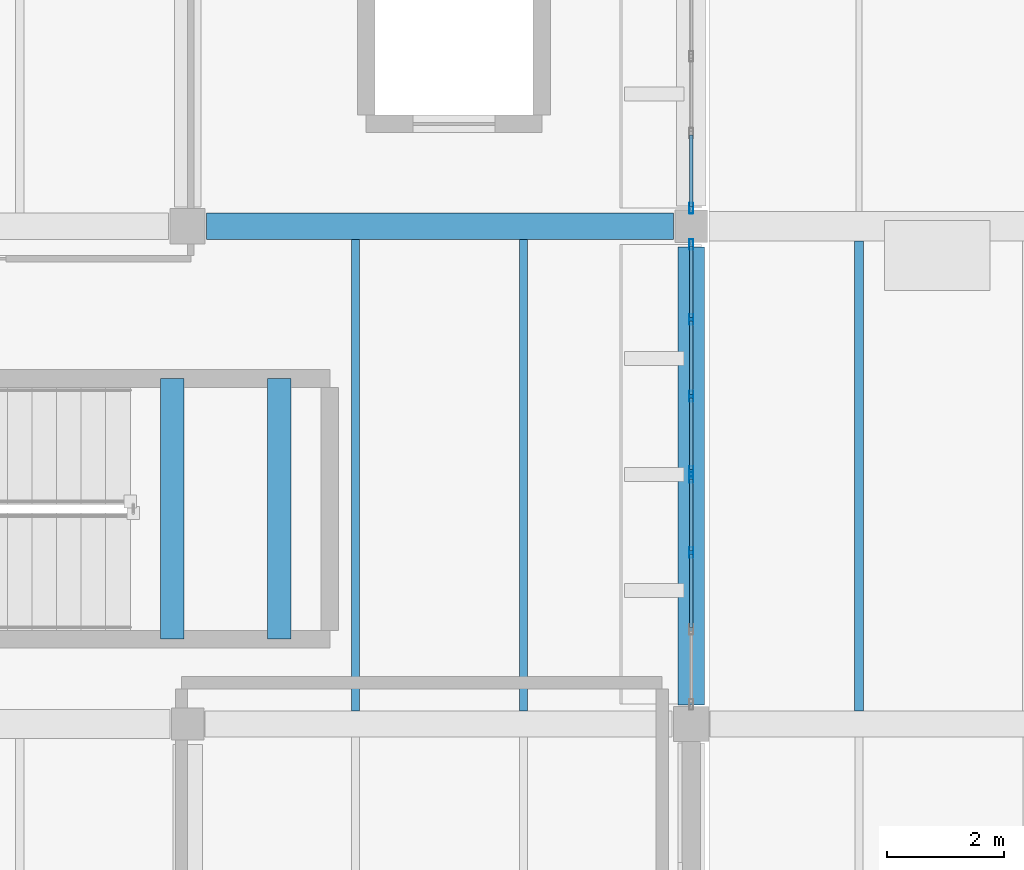
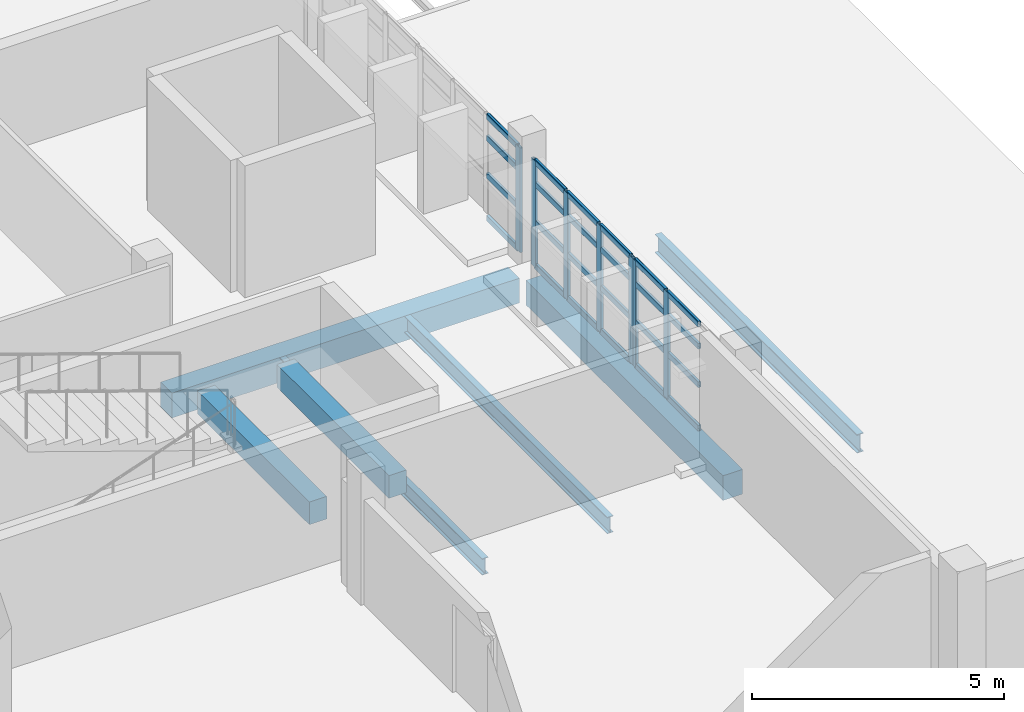
# One storey, part 15 of 55: 31 members, 7 beams, 3 elements without a shape of their own.
"""IFC4 building model written with IfcOpenShell, lengths in metres."""

from ifc_helpers import new_model, si_unit, direction, frame, origin, origin_2d, place, context, subcontext, project, spatial, rectangle, hollow_rectangle, i_section, extrude, material, material_profile, profile_set, type_object, element, aggregate, save


model = new_model("IFC4")

# Units and contexts
model_context = context("Model", 3, precision=1e-05, world=origin(), true_north=direction((0.0, 1.0)))
body_context = subcontext(model_context, "Body", "Model", "MODEL_VIEW")
ifc_project = project(units=[si_unit("LENGTHUNIT", "METRE"), si_unit("AREAUNIT", "SQUARE_METRE"), si_unit("VOLUMEUNIT", "CUBIC_METRE"), si_unit("PLANEANGLEUNIT", "RADIAN"), si_unit("MASSUNIT", "GRAM", prefix="KILO")], contexts=[model_context])

# Site, building, storey
site_placement = place(None, origin())
site = spatial("IfcSite", under=ifc_project, at=site_placement, CompositionType="ELEMENT")
building_placement = place(site_placement, origin())
building = spatial("IfcBuilding", under=site, at=building_placement, Name="Varnakota Cinema and Media Centre", CompositionType="ELEMENT")
storey_placement = place(building_placement, frame((0.0, 0.0, 15.60009765625)))
storey = spatial("IfcBuildingStorey", under=building, at=storey_placement, Name="L04", CompositionType="ELEMENT", Elevation=15.60009765625)

# Beams
ifc_material_1 = material(Name="Concrete M35", Category="concrete")
ifc_material_profile_1 = material_profile(ifc_material_1, rectangle(XDim=0.39990234375, YDim=0.550048828125, at=origin_2d()), Name="RCB 400x550")
ifc_profile_set_1 = profile_set([ifc_material_profile_1], Name="Concrete M35")
beam_type_1 = type_object("IfcBeamType", Name="BM-RC-400x550", PredefinedType="BEAM", material=ifc_profile_set_1)
for number, where, z_axis, x_axis, name in (
    (1, (16.937255859375, 45.449951171875, 1.25), (0.0, 1.0, 0.0), (-1.0, 0.0, 0.0), "L04 ST-03 landing support beam 1"),
    (2, (18.7626953125, 45.449951171875, 1.25), (0.0, 1.0, 0.0), (-1.0, 0.0, 0.0), "L04 ST-03 landing support beam 2"),
):
    element("IfcBeam", number, at=place(storey_placement, frame(where, z_axis=z_axis, x_axis=x_axis)), inside=storey, type_object=beam_type_1, Name=name, PredefinedType="BEAM", context=body_context, shape_type="SweptSolid", body=[
        extrude(rectangle(XDim=0.39990234375, YDim=0.550048828125, at=origin_2d()), origin(), (0.0, 0.0, 1.0), 4.449951171875),
    ])
ifc_material_2 = material(Name="Concrete M35", Category="concrete")
ifc_material_profile_2 = material_profile(ifc_material_2, rectangle(XDim=0.449951171875, YDim=0.60009765625, at=origin_2d()), Name="RCB 450x600")
ifc_profile_set_2 = profile_set([ifc_material_profile_2], Name="Concrete M35")
beam_type_2 = type_object("IfcBeamType", Name="BM-RC-450x600", PredefinedType="BEAM", material=ifc_profile_set_2)
beam_1_placement = place(storey_placement, frame((17.52490234375, 52.5, -0.550048828125), z_axis=(1.0, 0.0, 0.0), x_axis=(0.0, 1.0, 0.0)))
element("IfcBeam", 3, at=beam_1_placement, inside=storey, type_object=beam_type_2, Name="L04 girder C-D/7", PredefinedType="BEAM", context=body_context, shape_type="SweptSolid", body=[
    extrude(rectangle(XDim=0.449951171875, YDim=0.60009765625, at=origin_2d()), origin(), (0.0, 0.0, 1.0), 7.97509765625),
])
beam_2_placement = place(storey_placement, frame((25.800048828125, 44.324951171875, -0.550048828125), z_axis=(0.0, 1.0, 0.0), x_axis=(-1.0, 0.0, 0.0)))
element("IfcBeam", 4, at=beam_2_placement, inside=storey, type_object=beam_type_2, Name="L04 girder D/6-7", PredefinedType="BEAM", context=body_context, shape_type="SweptSolid", body=[
    extrude(rectangle(XDim=0.449951171875, YDim=0.60009765625, at=origin_2d()), origin(), (0.0, 0.0, 1.0), 7.824951171875),
])
ifc_material_3 = material(Name="Structural steel Grade 350 (E350)", Category="steel")
ifc_material_profile_3 = material_profile(ifc_material_3, i_section(OverallWidth=0.139892578125, OverallDepth=0.39990234375, WebThickness=0.0087890625, FlangeThickness=0.01611328125, FilletRadius=0.013916015625, at=origin_2d()), Name="ISMB 400")
ifc_profile_set_3 = profile_set([ifc_material_profile_3], Name="Structural steel Grade 350 (E350)")
beam_type_3 = type_object("IfcBeamType", Name="BM-ST-ISMB400", PredefinedType="JOIST", material=ifc_profile_set_3)
for number, where, z_axis, x_axis, name in (
    (5, (20.066650390625, 44.22509765625, -0.4501953125), (0.0, 1.0, 0.0), (-1.0, 0.0, 0.0), "L04 steel joist C-D/6-7 #1"),
    (6, (22.933349609375, 44.22509765625, -0.4501953125), (0.0, 1.0, 0.0), (-1.0, 0.0, 0.0), "L04 steel joist C-D/6-7 #2"),
):
    element("IfcBeam", number, at=place(storey_placement, frame(where, z_axis=z_axis, x_axis=x_axis)), inside=storey, type_object=beam_type_3, Name=name, PredefinedType="JOIST", context=body_context, shape_type="SweptSolid", body=[
        extrude(i_section(OverallWidth=0.139892578125, OverallDepth=0.39990234375, WebThickness=0.0087890625, FlangeThickness=0.01611328125, FilletRadius=0.013916015625, at=origin_2d()), origin(), (0.0, 0.0, 1.0), 8.0498046875),
    ])
ifc_material_4 = material(Name="Structural steel Grade 350 (E350)", Category="steel")
ifc_material_profile_4 = material_profile(ifc_material_4, i_section(OverallWidth=0.14990234375, OverallDepth=0.449951171875, WebThickness=0.009521484375, FlangeThickness=0.017333984375, FilletRadius=0.014892578125, at=origin_2d()), Name="ISMB 450")
ifc_profile_set_4 = profile_set([ifc_material_profile_4], Name="Structural steel Grade 350 (E350)")
beam_type_4 = type_object("IfcBeamType", Name="BM-ST-ISMB450", PredefinedType="BEAM", material=ifc_profile_set_4)
beam_3_placement = place(storey_placement, frame((28.666748046875, 44.22509765625, -0.47509765625), z_axis=(0.0, 1.0, 0.0), x_axis=(-1.0, 0.0, 0.0)))
element("IfcBeam", 7, at=beam_3_placement, inside=storey, type_object=beam_type_4, Name="L04 steel joist D-E/6-7 #1", PredefinedType="BEAM", context=body_context, shape_type="SweptSolid", body=[
    extrude(i_section(OverallWidth=0.14990234375, OverallDepth=0.449951171875, WebThickness=0.009521484375, FlangeThickness=0.017333984375, FilletRadius=0.014892578125, at=origin_2d()), origin(), (0.0, 0.0, 1.0), 8.02490234375),
])

# Curtain wall, members
ifc_material_5 = material(Name="Thermally broken anodised aluminium AW-6063", Category="aluminium")
curtain_wall_type_1 = type_object("IfcCurtainWallType", Name="CW-STD-394x258", PredefinedType="USERDEFINED", material=ifc_material_5)
curtain_wall_1_placement = place(storey_placement, origin())
curtain_wall_1 = element("IfcCurtainWall", 8, at=curtain_wall_1_placement, inside=storey, type_object=curtain_wall_type_1, Name="L04 curtain wall CW-L04-V5-E-02-1", ObjectType="UNITISED CURTAIN WALL", PredefinedType="USERDEFINED")
ifc_material_6 = material(Name="Thermally broken anodised aluminium AW-6063", Category="aluminium")
ifc_material_profile_5 = material_profile(ifc_material_6, hollow_rectangle(XDim=0.06494140625, YDim=0.179931640625, WallThickness=0.00390625, InnerFilletRadius=0.00390625, OuterFilletRadius=0.008056640625, at=origin_2d()), Name="AL-MULLION 180x65x4")
ifc_profile_set_5 = profile_set([ifc_material_profile_5], Name="Thermally broken anodised aluminium AW-6063")
member_type_1 = type_object("IfcMemberType", Name="CWM-AL-180", PredefinedType="MULLION", material=ifc_profile_set_5)
member_1_placement = place(storey_placement, frame((25.800048828125, 46.92822265625, 0.0), z_axis=(0.0, 0.0, 1.0), x_axis=(-1.0, 0.0, 0.0)))
member_1 = element("IfcMember", 9, at=member_1_placement, type_object=member_type_1, Name="CW30 mullion 3", PredefinedType="MULLION", context=body_context, shape_type="SweptSolid", body=[
    extrude(hollow_rectangle(XDim=0.06494140625, YDim=0.179931640625, WallThickness=0.00390625, InnerFilletRadius=0.00390625, OuterFilletRadius=0.008056640625, at=origin_2d()), origin(), (0.0, 0.0, 1.0), 2.5849609375),
])
member_2_placement = place(storey_placement, frame((25.800048828125, 48.2099609375, 0.0), z_axis=(0.0, 0.0, 1.0), x_axis=(-1.0, 0.0, 0.0)))
member_2 = element("IfcMember", 10, at=member_2_placement, type_object=member_type_1, Name="CW30 mullion 4", PredefinedType="MULLION", context=body_context, shape_type="SweptSolid", body=[
    extrude(hollow_rectangle(XDim=0.06494140625, YDim=0.179931640625, WallThickness=0.00390625, InnerFilletRadius=0.00390625, OuterFilletRadius=0.008056640625, at=origin_2d()), origin(), (0.0, 0.0, 1.0), 2.5849609375),
])

curtain_wall_2_placement = place(storey_placement, origin())
curtain_wall_2 = element("IfcCurtainWall", 11, at=curtain_wall_2_placement, inside=storey, type_object=curtain_wall_type_1, Name="L04 curtain wall CW-L04-V5-E-02-2", ObjectType="UNITISED CURTAIN WALL", PredefinedType="USERDEFINED")
member_3_placement = place(storey_placement, frame((25.800048828125, 48.31494140625, 0.0), z_axis=(0.0, 0.0, 1.0), x_axis=(-1.0, 0.0, 0.0)))
member_3 = element("IfcMember", 12, at=member_3_placement, type_object=member_type_1, Name="CW30 mullion 1", PredefinedType="MULLION", context=body_context, shape_type="SweptSolid", body=[
    extrude(hollow_rectangle(XDim=0.06494140625, YDim=0.179931640625, WallThickness=0.00390625, InnerFilletRadius=0.00390625, OuterFilletRadius=0.008056640625, at=origin_2d()), origin(), (0.0, 0.0, 1.0), 2.5849609375),
])
member_4_placement = place(storey_placement, frame((25.800048828125, 49.5966796875, 0.0), z_axis=(0.0, 0.0, 1.0), x_axis=(-1.0, 0.0, 0.0)))
member_4 = element("IfcMember", 13, at=member_4_placement, type_object=member_type_1, Name="CW30 mullion 2", PredefinedType="MULLION", context=body_context, shape_type="SweptSolid", body=[
    extrude(hollow_rectangle(XDim=0.06494140625, YDim=0.179931640625, WallThickness=0.00390625, InnerFilletRadius=0.00390625, OuterFilletRadius=0.008056640625, at=origin_2d()), origin(), (0.0, 0.0, 1.0), 2.5849609375),
])
member_5_placement = place(storey_placement, frame((25.800048828125, 50.910888671875, 0.0), z_axis=(0.0, 0.0, 1.0), x_axis=(-1.0, 0.0, 0.0)))
member_5 = element("IfcMember", 14, at=member_5_placement, type_object=member_type_1, Name="CW30 mullion 3", PredefinedType="MULLION", context=body_context, shape_type="SweptSolid", body=[
    extrude(hollow_rectangle(XDim=0.06494140625, YDim=0.179931640625, WallThickness=0.00390625, InnerFilletRadius=0.00390625, OuterFilletRadius=0.008056640625, at=origin_2d()), origin(), (0.0, 0.0, 1.0), 2.5849609375),
])
member_6_placement = place(storey_placement, frame((25.800048828125, 52.1923828125, 0.0), z_axis=(0.0, 0.0, 1.0), x_axis=(-1.0, 0.0, 0.0)))
member_6 = element("IfcMember", 15, at=member_6_placement, type_object=member_type_1, Name="CW30 mullion 4", PredefinedType="MULLION", context=body_context, shape_type="SweptSolid", body=[
    extrude(hollow_rectangle(XDim=0.06494140625, YDim=0.179931640625, WallThickness=0.00390625, InnerFilletRadius=0.00390625, OuterFilletRadius=0.008056640625, at=origin_2d()), origin(), (0.0, 0.0, 1.0), 2.5849609375),
])

# Curtain wall, member
ifc_material_7 = material(Name="Thermally broken anodised aluminium AW-6063", Category="aluminium")
curtain_wall_type_2 = type_object("IfcCurtainWallType", Name="CW-STD-394x254", PredefinedType="USERDEFINED", material=ifc_material_7)
curtain_wall_3_placement = place(storey_placement, origin())
curtain_wall_3 = element("IfcCurtainWall", 16, at=curtain_wall_3_placement, inside=storey, type_object=curtain_wall_type_2, Name="L04 curtain wall CW-L04-V5-E-03-1", ObjectType="UNITISED CURTAIN WALL", PredefinedType="USERDEFINED")
member_7_placement = place(storey_placement, frame((25.800048828125, 52.8076171875, 0.0), z_axis=(0.0, 0.0, 1.0), x_axis=(-1.0, 0.0, 0.0)))
member_7 = element("IfcMember", 17, at=member_7_placement, type_object=member_type_1, Name="CW48 mullion 1", PredefinedType="MULLION", context=body_context, shape_type="SweptSolid", body=[
    extrude(hollow_rectangle(XDim=0.06494140625, YDim=0.179931640625, WallThickness=0.00390625, InnerFilletRadius=0.00390625, OuterFilletRadius=0.008056640625, at=origin_2d()), origin(), (0.0, 0.0, 1.0), 2.534912109375),
])

# Member
ifc_material_8 = material(Name="Thermally broken anodised aluminium AW-6063", Category="aluminium")
ifc_material_profile_6 = material_profile(ifc_material_8, hollow_rectangle(XDim=0.06494140625, YDim=0.139892578125, WallThickness=0.00390625, InnerFilletRadius=0.00390625, OuterFilletRadius=0.008056640625, at=origin_2d()), Name="AL-TRANSOM 140x65x4")
ifc_profile_set_6 = profile_set([ifc_material_profile_6], Name="Thermally broken anodised aluminium AW-6063")
member_type_2 = type_object("IfcMemberType", Name="CWT-AL-140", PredefinedType="USERDEFINED", material=ifc_profile_set_6)
member_8_placement = place(storey_placement, frame((25.800048828125, 45.646728515625, 0.032470703125), z_axis=(0.0, 1.0, 0.0), x_axis=(-1.0, 0.0, 0.0)))
member_8 = element("IfcMember", 18, at=member_8_placement, type_object=member_type_2, Name="CW30 transom 2.1", ObjectType="TRANSOM", PredefinedType="USERDEFINED", context=body_context, shape_type="SweptSolid", body=[
    extrude(hollow_rectangle(XDim=0.06494140625, YDim=0.139892578125, WallThickness=0.00390625, InnerFilletRadius=0.00390625, OuterFilletRadius=0.008056640625, at=origin_2d()), origin(), (0.0, 0.0, 1.0), 1.2490234375),
])

member_9_placement = place(storey_placement, frame((25.800048828125, 45.646728515625, 1.085693359375), z_axis=(0.0, 1.0, 0.0), x_axis=(-1.0, 0.0, 0.0)))
member_9 = element("IfcMember", 19, at=member_9_placement, type_object=member_type_2, Name="CW30 transom 2.2", ObjectType="TRANSOM", PredefinedType="USERDEFINED", context=body_context, shape_type="SweptSolid", body=[
    extrude(hollow_rectangle(XDim=0.06494140625, YDim=0.139892578125, WallThickness=0.00390625, InnerFilletRadius=0.00390625, OuterFilletRadius=0.008056640625, at=origin_2d()), origin(), (0.0, 0.0, 1.0), 1.2490234375),
])

member_10_placement = place(storey_placement, frame((25.800048828125, 45.646728515625, 2.01611328125), z_axis=(0.0, 1.0, 0.0), x_axis=(-1.0, 0.0, 0.0)))
member_10 = element("IfcMember", 20, at=member_10_placement, type_object=member_type_2, Name="CW30 transom 2.3", ObjectType="TRANSOM", PredefinedType="USERDEFINED", context=body_context, shape_type="SweptSolid", body=[
    extrude(hollow_rectangle(XDim=0.06494140625, YDim=0.139892578125, WallThickness=0.00390625, InnerFilletRadius=0.00390625, OuterFilletRadius=0.008056640625, at=origin_2d()), origin(), (0.0, 0.0, 1.0), 1.2490234375),
])

member_11_placement = place(storey_placement, frame((25.800048828125, 45.646728515625, 2.552490234375), z_axis=(0.0, 1.0, 0.0), x_axis=(-1.0, 0.0, 0.0)))
member_11 = element("IfcMember", 21, at=member_11_placement, type_object=member_type_2, Name="CW30 transom 2.4", ObjectType="TRANSOM", PredefinedType="USERDEFINED", context=body_context, shape_type="SweptSolid", body=[
    extrude(hollow_rectangle(XDim=0.06494140625, YDim=0.139892578125, WallThickness=0.00390625, InnerFilletRadius=0.00390625, OuterFilletRadius=0.008056640625, at=origin_2d()), origin(), (0.0, 0.0, 1.0), 1.2490234375),
])

member_12_placement = place(storey_placement, frame((25.800048828125, 46.9609375, 0.032470703125), z_axis=(0.0, 1.0, 0.0), x_axis=(-1.0, 0.0, 0.0)))
member_12 = element("IfcMember", 22, at=member_12_placement, type_object=member_type_2, Name="CW30 transom 3.1", ObjectType="TRANSOM", PredefinedType="USERDEFINED", context=body_context, shape_type="SweptSolid", body=[
    extrude(hollow_rectangle(XDim=0.06494140625, YDim=0.139892578125, WallThickness=0.00390625, InnerFilletRadius=0.00390625, OuterFilletRadius=0.008056640625, at=origin_2d()), origin(), (0.0, 0.0, 1.0), 1.216552734375),
])

member_13_placement = place(storey_placement, frame((25.800048828125, 46.9609375, 1.085693359375), z_axis=(0.0, 1.0, 0.0), x_axis=(-1.0, 0.0, 0.0)))
member_13 = element("IfcMember", 23, at=member_13_placement, type_object=member_type_2, Name="CW30 transom 3.2", ObjectType="TRANSOM", PredefinedType="USERDEFINED", context=body_context, shape_type="SweptSolid", body=[
    extrude(hollow_rectangle(XDim=0.06494140625, YDim=0.139892578125, WallThickness=0.00390625, InnerFilletRadius=0.00390625, OuterFilletRadius=0.008056640625, at=origin_2d()), origin(), (0.0, 0.0, 1.0), 1.216552734375),
])

member_14_placement = place(storey_placement, frame((25.800048828125, 46.9609375, 2.01611328125), z_axis=(0.0, 1.0, 0.0), x_axis=(-1.0, 0.0, 0.0)))
member_14 = element("IfcMember", 24, at=member_14_placement, type_object=member_type_2, Name="CW30 transom 3.3", ObjectType="TRANSOM", PredefinedType="USERDEFINED", context=body_context, shape_type="SweptSolid", body=[
    extrude(hollow_rectangle(XDim=0.06494140625, YDim=0.139892578125, WallThickness=0.00390625, InnerFilletRadius=0.00390625, OuterFilletRadius=0.008056640625, at=origin_2d()), origin(), (0.0, 0.0, 1.0), 1.216552734375),
])

member_15_placement = place(storey_placement, frame((25.800048828125, 46.9609375, 2.552490234375), z_axis=(0.0, 1.0, 0.0), x_axis=(-1.0, 0.0, 0.0)))
member_15 = element("IfcMember", 25, at=member_15_placement, type_object=member_type_2, Name="CW30 transom 3.4", ObjectType="TRANSOM", PredefinedType="USERDEFINED", context=body_context, shape_type="SweptSolid", body=[
    extrude(hollow_rectangle(XDim=0.06494140625, YDim=0.139892578125, WallThickness=0.00390625, InnerFilletRadius=0.00390625, OuterFilletRadius=0.008056640625, at=origin_2d()), origin(), (0.0, 0.0, 1.0), 1.216552734375),
])

aggregate(curtain_wall_1, [member_1, member_2, member_8, member_9, member_10, member_11, member_12, member_13, member_14, member_15])

member_16_placement = place(storey_placement, frame((25.800048828125, 48.347412109375, 0.032470703125), z_axis=(0.0, 1.0, 0.0), x_axis=(-1.0, 0.0, 0.0)))
member_16 = element("IfcMember", 26, at=member_16_placement, type_object=member_type_2, Name="CW30 transom 1.1", ObjectType="TRANSOM", PredefinedType="USERDEFINED", context=body_context, shape_type="SweptSolid", body=[
    extrude(hollow_rectangle(XDim=0.06494140625, YDim=0.139892578125, WallThickness=0.00390625, InnerFilletRadius=0.00390625, OuterFilletRadius=0.008056640625, at=origin_2d()), origin(), (0.0, 0.0, 1.0), 1.216796875),
])

member_17_placement = place(storey_placement, frame((25.800048828125, 48.347412109375, 1.085693359375), z_axis=(0.0, 1.0, 0.0), x_axis=(-1.0, 0.0, 0.0)))
member_17 = element("IfcMember", 27, at=member_17_placement, type_object=member_type_2, Name="CW30 transom 1.2", ObjectType="TRANSOM", PredefinedType="USERDEFINED", context=body_context, shape_type="SweptSolid", body=[
    extrude(hollow_rectangle(XDim=0.06494140625, YDim=0.139892578125, WallThickness=0.00390625, InnerFilletRadius=0.00390625, OuterFilletRadius=0.008056640625, at=origin_2d()), origin(), (0.0, 0.0, 1.0), 1.216796875),
])

member_18_placement = place(storey_placement, frame((25.800048828125, 48.347412109375, 2.01611328125), z_axis=(0.0, 1.0, 0.0), x_axis=(-1.0, 0.0, 0.0)))
member_18 = element("IfcMember", 28, at=member_18_placement, type_object=member_type_2, Name="CW30 transom 1.3", ObjectType="TRANSOM", PredefinedType="USERDEFINED", context=body_context, shape_type="SweptSolid", body=[
    extrude(hollow_rectangle(XDim=0.06494140625, YDim=0.139892578125, WallThickness=0.00390625, InnerFilletRadius=0.00390625, OuterFilletRadius=0.008056640625, at=origin_2d()), origin(), (0.0, 0.0, 1.0), 1.216796875),
])

member_19_placement = place(storey_placement, frame((25.800048828125, 48.347412109375, 2.552490234375), z_axis=(0.0, 1.0, 0.0), x_axis=(-1.0, 0.0, 0.0)))
member_19 = element("IfcMember", 29, at=member_19_placement, type_object=member_type_2, Name="CW30 transom 1.4", ObjectType="TRANSOM", PredefinedType="USERDEFINED", context=body_context, shape_type="SweptSolid", body=[
    extrude(hollow_rectangle(XDim=0.06494140625, YDim=0.139892578125, WallThickness=0.00390625, InnerFilletRadius=0.00390625, OuterFilletRadius=0.008056640625, at=origin_2d()), origin(), (0.0, 0.0, 1.0), 1.216796875),
])

member_20_placement = place(storey_placement, frame((25.800048828125, 49.629150390625, 0.032470703125), z_axis=(0.0, 1.0, 0.0), x_axis=(-1.0, 0.0, 0.0)))
member_20 = element("IfcMember", 30, at=member_20_placement, type_object=member_type_2, Name="CW30 transom 2.1", ObjectType="TRANSOM", PredefinedType="USERDEFINED", context=body_context, shape_type="SweptSolid", body=[
    extrude(hollow_rectangle(XDim=0.06494140625, YDim=0.139892578125, WallThickness=0.00390625, InnerFilletRadius=0.00390625, OuterFilletRadius=0.008056640625, at=origin_2d()), origin(), (0.0, 0.0, 1.0), 1.249267578125),
])

member_21_placement = place(storey_placement, frame((25.800048828125, 49.629150390625, 1.085693359375), z_axis=(0.0, 1.0, 0.0), x_axis=(-1.0, 0.0, 0.0)))
member_21 = element("IfcMember", 31, at=member_21_placement, type_object=member_type_2, Name="CW30 transom 2.2", ObjectType="TRANSOM", PredefinedType="USERDEFINED", context=body_context, shape_type="SweptSolid", body=[
    extrude(hollow_rectangle(XDim=0.06494140625, YDim=0.139892578125, WallThickness=0.00390625, InnerFilletRadius=0.00390625, OuterFilletRadius=0.008056640625, at=origin_2d()), origin(), (0.0, 0.0, 1.0), 1.249267578125),
])

member_22_placement = place(storey_placement, frame((25.800048828125, 49.629150390625, 2.01611328125), z_axis=(0.0, 1.0, 0.0), x_axis=(-1.0, 0.0, 0.0)))
member_22 = element("IfcMember", 32, at=member_22_placement, type_object=member_type_2, Name="CW30 transom 2.3", ObjectType="TRANSOM", PredefinedType="USERDEFINED", context=body_context, shape_type="SweptSolid", body=[
    extrude(hollow_rectangle(XDim=0.06494140625, YDim=0.139892578125, WallThickness=0.00390625, InnerFilletRadius=0.00390625, OuterFilletRadius=0.008056640625, at=origin_2d()), origin(), (0.0, 0.0, 1.0), 1.249267578125),
])

member_23_placement = place(storey_placement, frame((25.800048828125, 49.629150390625, 2.552490234375), z_axis=(0.0, 1.0, 0.0), x_axis=(-1.0, 0.0, 0.0)))
member_23 = element("IfcMember", 33, at=member_23_placement, type_object=member_type_2, Name="CW30 transom 2.4", ObjectType="TRANSOM", PredefinedType="USERDEFINED", context=body_context, shape_type="SweptSolid", body=[
    extrude(hollow_rectangle(XDim=0.06494140625, YDim=0.139892578125, WallThickness=0.00390625, InnerFilletRadius=0.00390625, OuterFilletRadius=0.008056640625, at=origin_2d()), origin(), (0.0, 0.0, 1.0), 1.249267578125),
])

member_24_placement = place(storey_placement, frame((25.800048828125, 50.943359375, 0.032470703125), z_axis=(0.0, 1.0, 0.0), x_axis=(-1.0, 0.0, 0.0)))
member_24 = element("IfcMember", 34, at=member_24_placement, type_object=member_type_2, Name="CW30 transom 3.1", ObjectType="TRANSOM", PredefinedType="USERDEFINED", context=body_context, shape_type="SweptSolid", body=[
    extrude(hollow_rectangle(XDim=0.06494140625, YDim=0.139892578125, WallThickness=0.00390625, InnerFilletRadius=0.00390625, OuterFilletRadius=0.008056640625, at=origin_2d()), origin(), (0.0, 0.0, 1.0), 1.216552734375),
])

member_25_placement = place(storey_placement, frame((25.800048828125, 50.943359375, 1.085693359375), z_axis=(0.0, 1.0, 0.0), x_axis=(-1.0, 0.0, 0.0)))
member_25 = element("IfcMember", 35, at=member_25_placement, type_object=member_type_2, Name="CW30 transom 3.2", ObjectType="TRANSOM", PredefinedType="USERDEFINED", context=body_context, shape_type="SweptSolid", body=[
    extrude(hollow_rectangle(XDim=0.06494140625, YDim=0.139892578125, WallThickness=0.00390625, InnerFilletRadius=0.00390625, OuterFilletRadius=0.008056640625, at=origin_2d()), origin(), (0.0, 0.0, 1.0), 1.216552734375),
])

member_26_placement = place(storey_placement, frame((25.800048828125, 50.943359375, 2.01611328125), z_axis=(0.0, 1.0, 0.0), x_axis=(-1.0, 0.0, 0.0)))
member_26 = element("IfcMember", 36, at=member_26_placement, type_object=member_type_2, Name="CW30 transom 3.3", ObjectType="TRANSOM", PredefinedType="USERDEFINED", context=body_context, shape_type="SweptSolid", body=[
    extrude(hollow_rectangle(XDim=0.06494140625, YDim=0.139892578125, WallThickness=0.00390625, InnerFilletRadius=0.00390625, OuterFilletRadius=0.008056640625, at=origin_2d()), origin(), (0.0, 0.0, 1.0), 1.216552734375),
])

member_27_placement = place(storey_placement, frame((25.800048828125, 50.943359375, 2.552490234375), z_axis=(0.0, 1.0, 0.0), x_axis=(-1.0, 0.0, 0.0)))
member_27 = element("IfcMember", 37, at=member_27_placement, type_object=member_type_2, Name="CW30 transom 3.4", ObjectType="TRANSOM", PredefinedType="USERDEFINED", context=body_context, shape_type="SweptSolid", body=[
    extrude(hollow_rectangle(XDim=0.06494140625, YDim=0.139892578125, WallThickness=0.00390625, InnerFilletRadius=0.00390625, OuterFilletRadius=0.008056640625, at=origin_2d()), origin(), (0.0, 0.0, 1.0), 1.216552734375),
])

aggregate(curtain_wall_2, [member_3, member_4, member_5, member_6, member_16, member_17, member_18, member_19, member_20, member_21, member_22, member_23, member_24, member_25, member_26, member_27])

member_28_placement = place(storey_placement, frame((25.800048828125, 52.840087890625, 0.032470703125), z_axis=(0.0, 1.0, 0.0), x_axis=(-1.0, 0.0, 0.0)))
member_28 = element("IfcMember", 38, at=member_28_placement, type_object=member_type_2, Name="CW48 transom 1.1", ObjectType="TRANSOM", PredefinedType="USERDEFINED", context=body_context, shape_type="SweptSolid", body=[
    extrude(hollow_rectangle(XDim=0.06494140625, YDim=0.139892578125, WallThickness=0.00390625, InnerFilletRadius=0.00390625, OuterFilletRadius=0.008056640625, at=origin_2d()), origin(), (0.0, 0.0, 1.0), 1.216552734375),
])

member_29_placement = place(storey_placement, frame((25.800048828125, 52.840087890625, 1.064697265625), z_axis=(0.0, 1.0, 0.0), x_axis=(-1.0, 0.0, 0.0)))
member_29 = element("IfcMember", 39, at=member_29_placement, type_object=member_type_2, Name="CW48 transom 1.2", ObjectType="TRANSOM", PredefinedType="USERDEFINED", context=body_context, shape_type="SweptSolid", body=[
    extrude(hollow_rectangle(XDim=0.06494140625, YDim=0.139892578125, WallThickness=0.00390625, InnerFilletRadius=0.00390625, OuterFilletRadius=0.008056640625, at=origin_2d()), origin(), (0.0, 0.0, 1.0), 1.216552734375),
])

member_30_placement = place(storey_placement, frame((25.800048828125, 52.840087890625, 1.977294921875), z_axis=(0.0, 1.0, 0.0), x_axis=(-1.0, 0.0, 0.0)))
member_30 = element("IfcMember", 40, at=member_30_placement, type_object=member_type_2, Name="CW48 transom 1.3", ObjectType="TRANSOM", PredefinedType="USERDEFINED", context=body_context, shape_type="SweptSolid", body=[
    extrude(hollow_rectangle(XDim=0.06494140625, YDim=0.139892578125, WallThickness=0.00390625, InnerFilletRadius=0.00390625, OuterFilletRadius=0.008056640625, at=origin_2d()), origin(), (0.0, 0.0, 1.0), 1.216552734375),
])

member_31_placement = place(storey_placement, frame((25.800048828125, 52.840087890625, 2.50244140625), z_axis=(0.0, 1.0, 0.0), x_axis=(-1.0, 0.0, 0.0)))
member_31 = element("IfcMember", 41, at=member_31_placement, type_object=member_type_2, Name="CW48 transom 1.4", ObjectType="TRANSOM", PredefinedType="USERDEFINED", context=body_context, shape_type="SweptSolid", body=[
    extrude(hollow_rectangle(XDim=0.06494140625, YDim=0.139892578125, WallThickness=0.00390625, InnerFilletRadius=0.00390625, OuterFilletRadius=0.008056640625, at=origin_2d()), origin(), (0.0, 0.0, 1.0), 1.216552734375),
])

aggregate(curtain_wall_3, [member_7, member_28, member_29, member_30, member_31])

save(model, "model.ifc")
